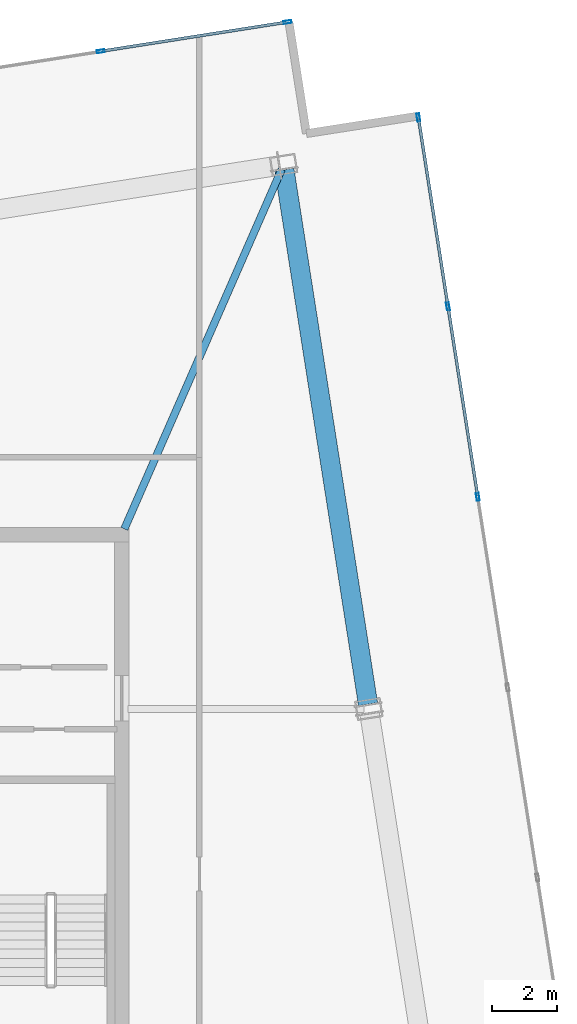
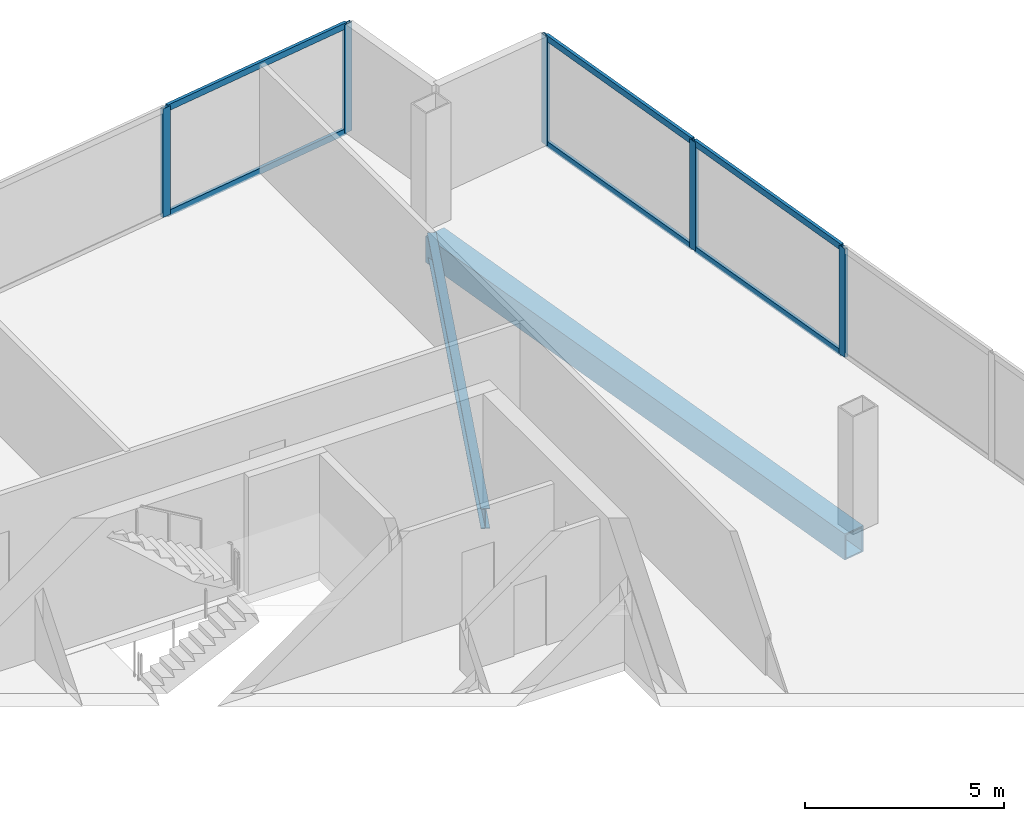
# One storey, part 13 of 17: 11 members, 2 beams, 2 elements without a shape of their own.
"""IFC4 building model written with IfcOpenShell, lengths in metres."""

import ifcopenshell
import ifcopenshell.guid

model = None  # the IFC model being written
_history = None  # IfcOwnerHistory: only IFC2X3 demands one
_inside = {}  # id of a spatial element -> (the spatial element, [elements in it])
_under = {}  # id of a project, library or spatial element -> (it, [spatial elements below it])
_declared = {}  # id of a project -> (the project, [libraries it declares])
_typed = {}  # id of a type object -> (the type object, [elements of that type])
_made_of = {}  # id of a material, layer set ... -> (it, [elements and type objects made of it])


def new_model(schema):
    """Start an empty IFC model of exactly this schema.

    Asked for "IFC4X3", IfcOpenShell would pick the latest addendum, in which some entities
    have other attributes; the version numbers below select the first issue.
    IFC2X3 requires an IfcOwnerHistory on every rooted entity: one is made here for all.
    """
    global model, _history
    if schema == "IFC4X3":
        model = ifcopenshell.file(schema_version=(4, 3, 0, 0))
    else:
        model = ifcopenshell.file(schema=schema)
    _inside.clear()
    _under.clear()
    _declared.clear()
    _typed.clear()
    _made_of.clear()
    _history = None
    if model.schema == "IFC2X3":
        org = make("IfcOrganization", Name="unknown")
        user = make(
            "IfcPersonAndOrganization",
            ThePerson=make("IfcPerson", FamilyName="unknown"),
            TheOrganization=org,
        )
        app = make(
            "IfcApplication",
            ApplicationDeveloper=org,
            Version="unknown",
            ApplicationFullName="unknown",
            ApplicationIdentifier="unknown",
        )
        _history = make(
            "IfcOwnerHistory",
            OwningUser=user,
            OwningApplication=app,
            ChangeAction="ADDED",
            CreationDate=0,
        )
    return model


def make(cls, **values):
    """One entity of the class cls with the attributes given. An attribute that is None is left unset."""
    return model.create_entity(
        cls, **{name: value for name, value in values.items() if value is not None}
    )


def rooted(cls, **values):
    """An entity with a GlobalId (a new one), such as an element, a storey or a relation."""
    return make(cls, GlobalId=ifcopenshell.guid.new(), OwnerHistory=_history, **values)


def si_unit(unit_type, name, prefix=None):
    """IfcSIUnit, for example si_unit("LENGTHUNIT", "METRE", prefix="MILLI")."""
    return make("IfcSIUnit", UnitType=unit_type, Prefix=prefix, Name=name)


def assignment(units):
    """IfcUnitAssignment: the units of a project."""
    return None if units is None else make("IfcUnitAssignment", Units=units)


def point(xyz):
    """IfcCartesianPoint."""
    return None if xyz is None else make("IfcCartesianPoint", Coordinates=xyz)


def direction(xyz):
    """IfcDirection."""
    return None if xyz is None else make("IfcDirection", DirectionRatios=xyz)


def frame(location, z_axis=None, x_axis=None):
    """IfcAxis2Placement3D, a coordinate frame: its origin and axes. An axis left out is left unset."""
    return make(
        "IfcAxis2Placement3D",
        Location=point(location),
        Axis=direction(z_axis),
        RefDirection=direction(x_axis),
    )


def frame_2d(location, x_axis=None):
    """IfcAxis2Placement2D, a coordinate frame in the plane: its origin and x axis."""
    return make(
        "IfcAxis2Placement2D", Location=point(location), RefDirection=direction(x_axis)
    )


def origin():
    """The frame at (0, 0, 0) with its axes left unset."""
    return frame((0.0, 0.0, 0.0))


def origin_2d():
    """The frame at (0, 0) in the plane with its x axis left unset."""
    return frame_2d((0.0, 0.0))


def place(relative_to, where):
    """IfcLocalPlacement: puts the frame where relative to a parent placement (None: the world)."""
    return make(
        "IfcLocalPlacement", PlacementRelTo=relative_to, RelativePlacement=where
    )


def context(
    kind, dimensions, precision=None, world=None, true_north=None, identifier=None
):
    """IfcGeometricRepresentationContext, for example the 3D "Model" context."""
    return make(
        "IfcGeometricRepresentationContext",
        ContextIdentifier=identifier,
        ContextType=kind,
        CoordinateSpaceDimension=dimensions,
        Precision=precision,
        WorldCoordinateSystem=world,
        TrueNorth=true_north,
    )


def subcontext(parent, identifier, kind, view, scale=None):
    """IfcGeometricRepresentationSubContext, for example "Body" below "Model"."""
    return make(
        "IfcGeometricRepresentationSubContext",
        ContextIdentifier=identifier,
        ContextType=kind,
        ParentContext=parent,
        TargetScale=scale,
        TargetView=view,
    )


def project(units=None, contexts=None):
    """IfcProject with its units and contexts."""
    return rooted(
        "IfcProject",
        Name="project",
        RepresentationContexts=contexts,
        UnitsInContext=assignment(units),
    )


def spatial(cls, under=None, at=None, **own):
    """A site, building, storey or space (cls), placed at a placement, below another one or the project."""
    s = rooted(cls, ObjectPlacement=at, **own)
    if under is not None:
        _under.setdefault(under.id(), (under, []))[1].append(s)
    return s


def profile(cls, at=None, kind="AREA", **sizes):
    """A parametric profile (cls). Its sizes go by their IFC names, for example OverallWidth=200.0."""
    return make(cls, ProfileType=kind, Position=at, **sizes)


def hollow_rectangle(**sizes):
    """IfcRectangleHollowProfileDef."""
    return profile("IfcRectangleHollowProfileDef", **sizes)


def i_section(**sizes):
    """IfcIShapeProfileDef."""
    return profile("IfcIShapeProfileDef", **sizes)


def extrude(swept, where, along, depth):
    """IfcExtrudedAreaSolid: the profile swept, set in the frame where, extruded along a direction by depth."""
    return make(
        "IfcExtrudedAreaSolid",
        SweptArea=swept,
        Position=where,
        ExtrudedDirection=direction(along),
        Depth=depth,
    )


def shape(context_of_items, identifier, shape_type, items):
    """IfcShapeRepresentation: the items that make up one representation, for example the "Body"."""
    return make(
        "IfcShapeRepresentation",
        ContextOfItems=context_of_items,
        RepresentationIdentifier=identifier,
        RepresentationType=shape_type,
        Items=items,
    )


def material(Name=None, Category=None):
    """IfcMaterial."""
    return make("IfcMaterial", Name=Name, Category=Category)


def material_profile(
    of_material, cross_section, Name=None, Category=None, Priority=None
):
    """IfcMaterialProfile: a cross section and its material."""
    return make(
        "IfcMaterialProfile",
        Name=Name,
        Material=of_material,
        Profile=cross_section,
        Priority=Priority,
        Category=Category,
    )


def profile_set(profiles, Name=None, composite=None):
    """IfcMaterialProfileSet."""
    return make(
        "IfcMaterialProfileSet",
        Name=Name,
        MaterialProfiles=profiles,
        CompositeProfile=composite,
    )


def made_of(thing, what):
    """Note that an element or type object is made of a material, layer set ...; save() writes the relation."""
    if what is not None:
        _made_of.setdefault(what.id(), (what, []))[1].append(thing)
    return thing


def type_object(cls, material=None, **own):
    """A type object (cls), such as IfcWallType, which elements share."""
    return made_of(rooted(cls, **own), material)


def element(
    cls,
    number,
    at=None,
    inside=None,
    cuts=None,
    type_object=None,
    material=None,
    context=None,
    identifier="Body",
    shape_type=None,
    held_by="IfcProductDefinitionShape",
    body=None,
    shapes=None,
    **own,
):
    """One element of the class cls, such as IfcWall. Its Tag is "e" and its number.

    at: its placement. inside: the storey or other place that contains it. cuts: it is an
    opening in that element (IfcRelVoidsElement). A single representation is given by context,
    identifier, shape_type and body (its items); several are given by shapes. held_by: the class
    of the entity that holds the representations. save() writes the other relations.
    """
    e = rooted(cls, Tag="e%d" % number, ObjectPlacement=at, **own)
    if body is not None:
        shapes = [shape(context, identifier, shape_type, body)]
    if shapes is not None:
        e.Representation = make(held_by, Representations=shapes)
    if inside is not None:
        _inside.setdefault(inside.id(), (inside, []))[1].append(e)
    if cuts is not None:
        rooted(
            "IfcRelVoidsElement", RelatingBuildingElement=cuts, RelatedOpeningElement=e
        )
    if type_object is not None:
        _typed.setdefault(type_object.id(), (type_object, []))[1].append(e)
    return made_of(e, material)


def aggregate(whole, parts):
    """IfcRelAggregates: a whole, such as a stair, and the parts it consists of."""
    return rooted("IfcRelAggregates", RelatingObject=whole, RelatedObjects=parts)


def save(model, path):
    """Write the relations noted so far, then the file.

    IfcRelAggregates (storeys below a building ...), IfcRelContainedInSpatialStructure (elements
    in a storey), IfcRelDefinesByType, IfcRelAssociatesMaterial and IfcRelDeclares: one each for
    every whole, place, type object, material and project.
    """
    for whole, parts in _under.values():
        aggregate(whole, parts)
    for where, things in _inside.values():
        rooted(
            "IfcRelContainedInSpatialStructure",
            RelatedElements=things,
            RelatingStructure=where,
        )
    for kind, things in _typed.values():
        rooted("IfcRelDefinesByType", RelatedObjects=things, RelatingType=kind)
    for what, things in _made_of.values():
        rooted("IfcRelAssociatesMaterial", RelatedObjects=things, RelatingMaterial=what)
    for by, libraries in _declared.values():
        rooted("IfcRelDeclares", RelatingContext=by, RelatedDefinitions=libraries)
    model.write(path)


model = new_model("IFC4")

# Units and contexts
model_context = context("Model", 3, precision=1e-05, world=origin(), true_north=direction((0.0, 1.0)))
body_context = subcontext(model_context, "Body", "Model", "MODEL_VIEW")
ifc_project = project(units=[si_unit("LENGTHUNIT", "METRE"), si_unit("AREAUNIT", "SQUARE_METRE"), si_unit("VOLUMEUNIT", "CUBIC_METRE"), si_unit("PLANEANGLEUNIT", "RADIAN"), si_unit("MASSUNIT", "GRAM", prefix="KILO")], contexts=[model_context])

# Site, building, storey
site_placement = place(None, origin())
site = spatial("IfcSite", under=ifc_project, at=site_placement, CompositionType="ELEMENT")
building_placement = place(site_placement, origin())
building = spatial("IfcBuilding", under=site, at=building_placement, Name="Haldenkirk Collegiate Tower", CompositionType="ELEMENT")
storey_placement = place(building_placement, frame((0.0, 0.0, 364.199951171875)))
storey = spatial("IfcBuildingStorey", under=building, at=storey_placement, Name="L92", CompositionType="ELEMENT", Elevation=364.199951171875)

# Beams
ifc_material_1 = material(Name="Steel ASTM A992 Grade 50", Category="steel")
ifc_material_profile_1 = material_profile(ifc_material_1, i_section(OverallWidth=0.22998046875, OverallDepth=0.616943359375, WebThickness=0.01318359375, FlangeThickness=0.022216796875, at=origin_2d()), Name="W24X94")
ifc_profile_set_1 = profile_set([ifc_material_profile_1], Name="Steel ASTM A992 Grade 50")
beam_type_1 = type_object("IfcBeamType", Name="BM-GIRDER-W24X94", PredefinedType="BEAM", material=ifc_profile_set_1)
beam_1_placement = place(storey_placement, frame((49.94921875, 45.314208984375, -0.578369140625), z_axis=(-0.400769288395, -0.916179009517, 0.0), x_axis=(0.916179009517, -0.400769288395, 0.0)))
element("IfcBeam", 1, at=beam_1_placement, inside=storey, type_object=beam_type_1, Name="L92 crown radial floor beam 3", PredefinedType="BEAM", context=body_context, shape_type="SweptSolid", body=[
    extrude(i_section(OverallWidth=0.22998046875, OverallDepth=0.616943359375, WebThickness=0.01318359375, FlangeThickness=0.022216796875, at=origin_2d()), origin(), (0.0, 0.0, 1.0), 12.1494140625),
])
ifc_material_2 = material(Name="Steel ASTM A572 Grade 50", Category="steel")
ifc_material_profile_2 = material_profile(ifc_material_2, hollow_rectangle(XDim=0.60009765625, YDim=0.800048828125, WallThickness=0.0400390625, at=origin_2d()), Name="BOX800X600X40")
ifc_profile_set_2 = profile_set([ifc_material_profile_2], Name="Steel ASTM A572 Grade 50")
beam_type_2 = type_object("IfcBeamType", Name="BM-SPANDREL-BOX800X600X40", PredefinedType="SPANDREL", material=ifc_profile_set_2)
beam_2_placement = place(storey_placement, frame((52.623779296875, 28.755126953125, -0.669921875), z_axis=(-0.154705009471, 0.987960707743, 0.0), x_axis=(-0.987960707743, -0.154705009471, 0.0)))
element("IfcBeam", 2, at=beam_2_placement, inside=storey, type_object=beam_type_2, Name="L92 Crown Ring Frame perimeter girder 2", PredefinedType="SPANDREL", context=body_context, shape_type="SweptSolid", body=[
    extrude(hollow_rectangle(XDim=0.60009765625, YDim=0.800048828125, WallThickness=0.0400390625, at=origin_2d()), origin(), (0.0, 0.0, 1.0), 16.75),
])

# Curtain wall, members
ifc_material_3 = material(Name="Anodised architectural bronze aluminium", Category="aluminium")
curtain_wall_type = type_object("IfcCurtainWallType", Name="CW-SYS6-CROWN", PredefinedType="USERDEFINED", material=ifc_material_3)
curtain_wall_1_placement = place(storey_placement, origin())
curtain_wall_1 = element("IfcCurtainWall", 3, at=curtain_wall_1_placement, inside=storey, type_object=curtain_wall_type, Name="L92 Closed crown ring ceramic-fritted bronze screen curtain wall", ObjectType="UNITISED CURTAIN WALL", PredefinedType="USERDEFINED")
ifc_material_profile_3 = material_profile(ifc_material_3, hollow_rectangle(XDim=0.090087890625, YDim=0.239990234375, WallThickness=0.0048828125, at=origin_2d()), Name="CW-MUL-06")
ifc_profile_set_3 = profile_set([ifc_material_profile_3], Name="Anodised architectural bronze aluminium")
member_type_1 = type_object("IfcMemberType", Name="CW-MUL-06", PredefinedType="MULLION", material=ifc_profile_set_3)
member_1_placement = place(storey_placement, frame((54.182373046875, 46.919921875, 0.0), z_axis=(0.0, 0.0, 1.0), x_axis=(0.987959532462, 0.154712514742, 0.0)))
member_1 = element("IfcMember", 4, at=member_1_placement, type_object=member_type_1, Name="CW-06 mullion 1", PredefinedType="MULLION", context=body_context, shape_type="SweptSolid", body=[
    extrude(hollow_rectangle(XDim=0.090087890625, YDim=0.239990234375, WallThickness=0.0048828125, at=origin_2d()), origin(), (0.0, 0.0, 1.0), 3.330078125),
])
member_2_placement = place(storey_placement, frame((55.0986328125, 41.069580078125, 0.0), z_axis=(0.0, 0.0, 1.0), x_axis=(0.987959532462, 0.154712514742, 0.0)))
member_2 = element("IfcMember", 5, at=member_2_placement, type_object=member_type_1, Name="CW-06 mullion 2", PredefinedType="MULLION", context=body_context, shape_type="SweptSolid", body=[
    extrude(hollow_rectangle(XDim=0.090087890625, YDim=0.239990234375, WallThickness=0.0048828125, at=origin_2d()), origin(), (0.0, 0.0, 1.0), 3.330078125),
])
member_3_placement = place(storey_placement, frame((56.021728515625, 35.174560546875, 0.0), z_axis=(0.0, 0.0, 1.0), x_axis=(0.987959532462, 0.154712514742, 0.0)))
member_3 = element("IfcMember", 6, at=member_3_placement, type_object=member_type_1, Name="CW-06 mullion 3", PredefinedType="MULLION", context=body_context, shape_type="SweptSolid", body=[
    extrude(hollow_rectangle(XDim=0.090087890625, YDim=0.239990234375, WallThickness=0.0048828125, at=origin_2d()), origin(), (0.0, 0.0, 1.0), 3.330078125),
])

curtain_wall_2_placement = place(storey_placement, origin())
curtain_wall_2 = element("IfcCurtainWall", 7, at=curtain_wall_2_placement, inside=storey, type_object=curtain_wall_type, Name="L92 Closed crown ring ceramic-fritted bronze screen curtain wall", ObjectType="UNITISED CURTAIN WALL", PredefinedType="USERDEFINED")
member_4_placement = place(storey_placement, frame((44.34716796875, 48.968017578125, 0.0), z_axis=(0.0, 0.0, 1.0), x_axis=(-0.154708982189, 0.987960085646, 0.0)))
member_4 = element("IfcMember", 8, at=member_4_placement, type_object=member_type_1, Name="CW-06 mullion 6", PredefinedType="MULLION", context=body_context, shape_type="SweptSolid", body=[
    extrude(hollow_rectangle(XDim=0.090087890625, YDim=0.239990234375, WallThickness=0.0048828125, at=origin_2d()), origin(), (0.0, 0.0, 1.0), 3.330078125),
])
member_5_placement = place(storey_placement, frame((50.131591796875, 49.873779296875, 0.0), z_axis=(0.0, 0.0, 1.0), x_axis=(-0.154708982189, 0.987960085646, 0.0)))
member_5 = element("IfcMember", 9, at=member_5_placement, type_object=member_type_1, Name="CW-06 mullion 7", PredefinedType="MULLION", context=body_context, shape_type="SweptSolid", body=[
    extrude(hollow_rectangle(XDim=0.090087890625, YDim=0.239990234375, WallThickness=0.0048828125, at=origin_2d()), origin(), (0.0, 0.0, 1.0), 3.330078125),
])

# Member
ifc_material_profile_4 = material_profile(ifc_material_3, hollow_rectangle(XDim=0.090087890625, YDim=0.18994140625, WallThickness=0.0048828125, at=origin_2d()), Name="CW-TRN-06")
ifc_profile_set_4 = profile_set([ifc_material_profile_4], Name="Anodised architectural bronze aluminium")
member_type_2 = type_object("IfcMemberType", Name="CW-TRN-06", PredefinedType="USERDEFINED", material=ifc_profile_set_4)
member_6_placement = place(storey_placement, frame((54.189208984375, 46.87548828125, 0.045166015625), z_axis=(0.154730622105, -0.987956696714, 0.0), x_axis=(0.987956696714, 0.154730622105, 0.0)))
member_6 = element("IfcMember", 10, at=member_6_placement, type_object=member_type_2, Name="CW-06 transom 1.1", ObjectType="TRANSOM", PredefinedType="USERDEFINED", context=body_context, shape_type="SweptSolid", body=[
    extrude(hollow_rectangle(XDim=0.090087890625, YDim=0.18994140625, WallThickness=0.0048828125, at=origin_2d()), origin(), (0.0, 0.0, 1.0), 5.831787109375),
])

member_7_placement = place(storey_placement, frame((54.189208984375, 46.87548828125, 3.28515625), z_axis=(0.154730622105, -0.987956696714, 0.0), x_axis=(0.987956696714, 0.154730622105, 0.0)))
member_7 = element("IfcMember", 11, at=member_7_placement, type_object=member_type_2, Name="CW-06 transom 1.2", ObjectType="TRANSOM", PredefinedType="USERDEFINED", context=body_context, shape_type="SweptSolid", body=[
    extrude(hollow_rectangle(XDim=0.090087890625, YDim=0.18994140625, WallThickness=0.0048828125, at=origin_2d()), origin(), (0.0, 0.0, 1.0), 5.831787109375),
])

member_8_placement = place(storey_placement, frame((55.10546875, 41.025146484375, 0.045166015625), z_axis=(0.154710174658, -0.987959898912, 0.0), x_axis=(0.987959898912, 0.154710174658, 0.0)))
member_8 = element("IfcMember", 12, at=member_8_placement, type_object=member_type_2, Name="CW-06 transom 2.1", ObjectType="TRANSOM", PredefinedType="USERDEFINED", context=body_context, shape_type="SweptSolid", body=[
    extrude(hollow_rectangle(XDim=0.090087890625, YDim=0.18994140625, WallThickness=0.0048828125, at=origin_2d()), origin(), (0.0, 0.0, 1.0), 5.876708984375),
])

member_9_placement = place(storey_placement, frame((55.10546875, 41.025146484375, 3.28515625), z_axis=(0.154710174658, -0.987959898912, 0.0), x_axis=(0.987959898912, 0.154710174658, 0.0)))
member_9 = element("IfcMember", 13, at=member_9_placement, type_object=member_type_2, Name="CW-06 transom 2.2", ObjectType="TRANSOM", PredefinedType="USERDEFINED", context=body_context, shape_type="SweptSolid", body=[
    extrude(hollow_rectangle(XDim=0.090087890625, YDim=0.18994140625, WallThickness=0.0048828125, at=origin_2d()), origin(), (0.0, 0.0, 1.0), 5.876708984375),
])

aggregate(curtain_wall_1, [member_1, member_2, member_3, member_6, member_7, member_8, member_9])

member_10_placement = place(storey_placement, frame((44.3916015625, 48.974853515625, 0.045166015625), z_axis=(0.987961315074, 0.154701130951, 0.0), x_axis=(-0.154701130951, 0.987961315074, 0.0)))
member_10 = element("IfcMember", 14, at=member_10_placement, type_object=member_type_2, Name="CW-06 transom 6.1", ObjectType="TRANSOM", PredefinedType="USERDEFINED", context=body_context, shape_type="SweptSolid", body=[
    extrude(hollow_rectangle(XDim=0.090087890625, YDim=0.18994140625, WallThickness=0.0048828125, at=origin_2d()), origin(), (0.0, 0.0, 1.0), 5.764892578125),
])

member_11_placement = place(storey_placement, frame((44.3916015625, 48.974853515625, 3.28515625), z_axis=(0.987961315074, 0.154701130951, 0.0), x_axis=(-0.154701130951, 0.987961315074, 0.0)))
member_11 = element("IfcMember", 15, at=member_11_placement, type_object=member_type_2, Name="CW-06 transom 6.2", ObjectType="TRANSOM", PredefinedType="USERDEFINED", context=body_context, shape_type="SweptSolid", body=[
    extrude(hollow_rectangle(XDim=0.090087890625, YDim=0.18994140625, WallThickness=0.0048828125, at=origin_2d()), origin(), (0.0, 0.0, 1.0), 5.764892578125),
])

aggregate(curtain_wall_2, [member_4, member_5, member_10, member_11])

save(model, "model.ifc")
